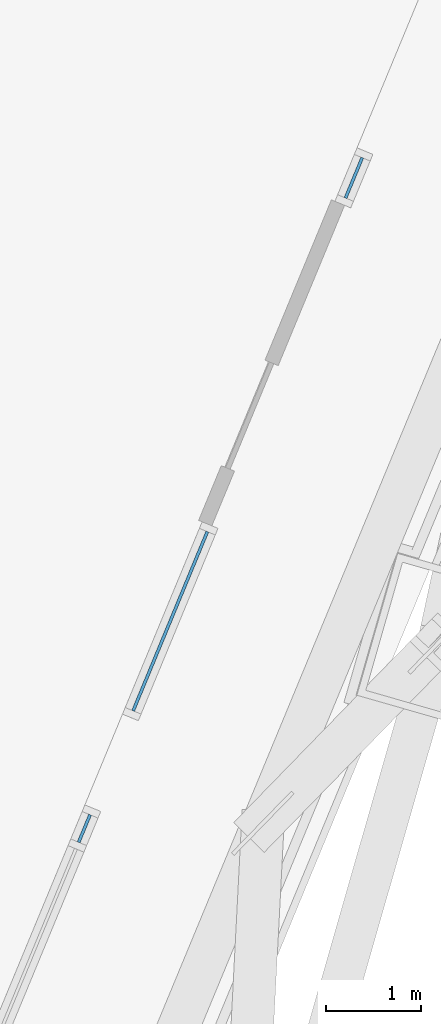
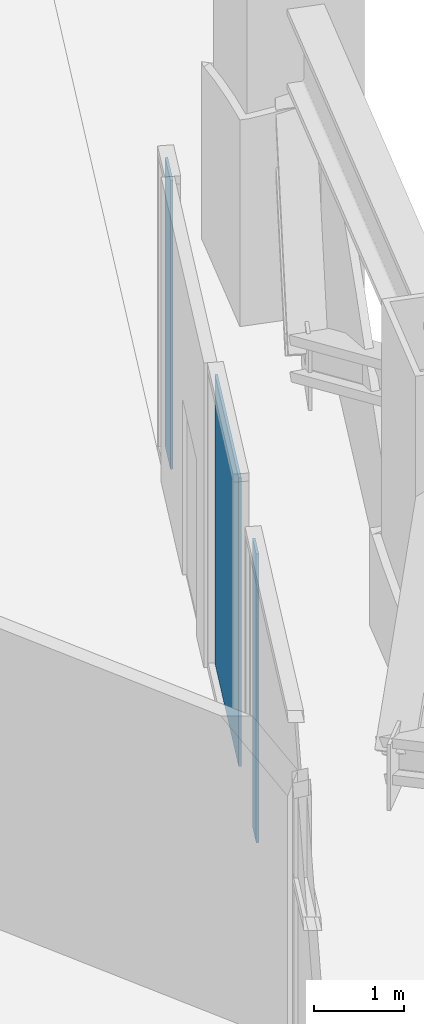
# One storey, part 14 of 31: 3 plates, 3 elements without a shape of their own.
"""IFC4 building model written with IfcOpenShell, lengths in metres."""

from ifc_helpers import new_model, si_unit, direction, frame, origin, origin_2d, place, context, subcontext, project, spatial, rectangle, extrude, material, layer, layer_set, type_object, element, aggregate, save


model = new_model("IFC4")

# Units and contexts
model_context = context("Model", 3, precision=1e-05, world=origin(), true_north=direction((0.0, 1.0)))
body_context = subcontext(model_context, "Body", "Model", "MODEL_VIEW")
ifc_project = project(units=[si_unit("LENGTHUNIT", "METRE"), si_unit("AREAUNIT", "SQUARE_METRE"), si_unit("VOLUMEUNIT", "CUBIC_METRE"), si_unit("PLANEANGLEUNIT", "RADIAN"), si_unit("MASSUNIT", "GRAM", prefix="KILO")], contexts=[model_context])

# Site, building, storey
site_placement = place(None, origin())
site = spatial("IfcSite", under=ifc_project, at=site_placement, CompositionType="ELEMENT")
building_placement = place(site_placement, origin())
building = spatial("IfcBuilding", under=site, at=building_placement, Name="Trine Commons Tower", CompositionType="ELEMENT")
storey_placement = place(building_placement, frame((0.0, 0.0, 82.800048828125)))
storey = spatial("IfcBuildingStorey", under=building, at=storey_placement, Name="L20", CompositionType="ELEMENT", Elevation=82.800048828125)

# Curtain wall, plate
ifc_material_1 = material(Name="Sky lounge glazing: anodised aluminium frame with low-emissivity double glazed unit, solar control", Category="aluminium")
ifc_layer_1 = layer(ifc_material_1, 0.179931640625)
ifc_layer_set_1 = layer_set([ifc_layer_1], Name="Sky lounge glazing: anodised aluminium frame with low-emissivity double glazed unit, solar control")
curtain_wall_type = type_object("IfcCurtainWallType", Name="Sky lounge glazing curtain wall CW5", PredefinedType="NOTDEFINED", material=ifc_layer_set_1)
curtain_wall_1_placement = place(storey_placement, origin())
curtain_wall_1 = element("IfcCurtainWall", 1, at=curtain_wall_1_placement, inside=storey, type_object=curtain_wall_type, Name="Sky lounge glazing L20 F2.1", PredefinedType="NOTDEFINED")
ifc_material_2 = material(Name="Low-emissivity double glazed unit, solar control")
ifc_layer_2 = layer(ifc_material_2, 0.031982421875)
ifc_layer_set_2 = layer_set([ifc_layer_2], Name="Low-emissivity double glazed unit, solar control")
plate_type = type_object("IfcPlateType", Name="Double glazed unit 32 mm (sky floors)", PredefinedType="CURTAIN_PANEL", material=ifc_layer_set_2)
plate_1_placement = place(storey_placement, frame((94.90087890625, 50.74072265625, 0.10986328125), z_axis=(0.0, 0.0, 1.0), x_axis=(-0.382683432365, -0.923879532511, 0.0)))
plate_1 = element("IfcPlate", 2, at=plate_1_placement, type_object=plate_type, Name="CW5 panel 1.1", PredefinedType="CURTAIN_PANEL", context=body_context, shape_type="SweptSolid", body=[
    extrude(rectangle(XDim=0.4580078125, YDim=0.031982421875, at=origin_2d()), origin(), (0.0, 0.0, 1.0), 3.929931640625),
])
aggregate(curtain_wall_1, [plate_1])

curtain_wall_2_placement = place(storey_placement, origin())
curtain_wall_2 = element("IfcCurtainWall", 3, at=curtain_wall_2_placement, inside=storey, type_object=curtain_wall_type, Name="Sky lounge glazing L20 F2.2", PredefinedType="NOTDEFINED")
plate_2_placement = place(storey_placement, frame((92.971923828125, 46.083740234375, 0.10986328125), z_axis=(0.0, 0.0, 1.0), x_axis=(-0.382683432365, -0.923879532511, 0.0)))
plate_2 = element("IfcPlate", 4, at=plate_2_placement, type_object=plate_type, Name="CW5 panel 1.1", PredefinedType="CURTAIN_PANEL", context=body_context, shape_type="SweptSolid", body=[
    extrude(rectangle(XDim=2.036376953125, YDim=0.031982421875, at=origin_2d()), origin(), (0.0, 0.0, 1.0), 3.929931640625),
])
aggregate(curtain_wall_2, [plate_2])

curtain_wall_3_placement = place(storey_placement, origin())
curtain_wall_3 = element("IfcCurtainWall", 5, at=curtain_wall_3_placement, inside=storey, type_object=curtain_wall_type, Name="Sky lounge glazing L20 F2.3", PredefinedType="NOTDEFINED")
plate_3_placement = place(storey_placement, frame((92.070068359375, 43.906494140625, 0.10986328125), z_axis=(0.0, 0.0, 1.0), x_axis=(-0.382683432365, -0.923879532511, 0.0)))
plate_3 = element("IfcPlate", 6, at=plate_3_placement, type_object=plate_type, Name="CW5 panel 1.1", PredefinedType="CURTAIN_PANEL", context=body_context, shape_type="SweptSolid", body=[
    extrude(rectangle(XDim=0.3125, YDim=0.031982421875, at=origin_2d()), origin(), (0.0, 0.0, 1.0), 3.929931640625),
])
aggregate(curtain_wall_3, [plate_3])

save(model, "model.ifc")
